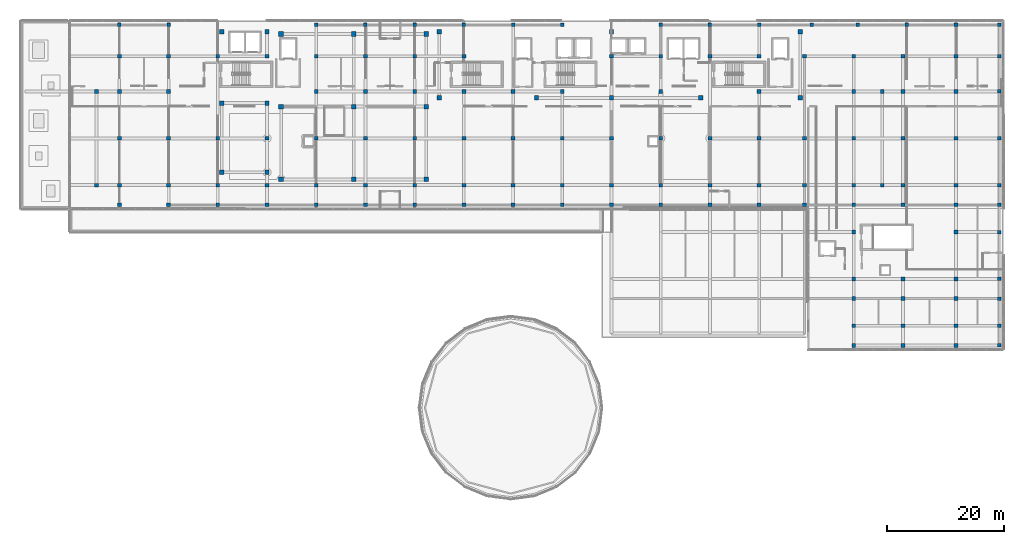
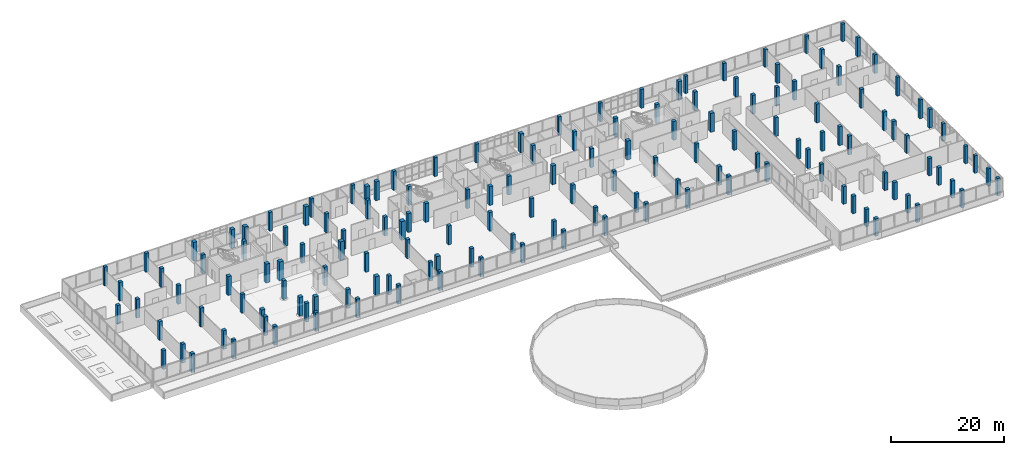
# One storey, part 1 of 78: 150 columns.
"""IFC4 building model written with IfcOpenShell, lengths in metres."""

from ifc_helpers import new_model, si_unit, direction, frame, origin, origin_2d, place, context, subcontext, project, spatial, rectangle, extrude, material, material_profile, profile_set, type_object, element, save


model = new_model("IFC4")

# Units and contexts
model_context = context("Model", 3, precision=1e-05, world=origin(), true_north=direction((0.0, 1.0)))
body_context = subcontext(model_context, "Body", "Model", "MODEL_VIEW")
ifc_project = project(units=[si_unit("LENGTHUNIT", "METRE"), si_unit("AREAUNIT", "SQUARE_METRE"), si_unit("VOLUMEUNIT", "CUBIC_METRE"), si_unit("PLANEANGLEUNIT", "RADIAN"), si_unit("MASSUNIT", "GRAM", prefix="KILO")], contexts=[model_context])

# Site, building, storey
site_placement = place(None, origin())
site = spatial("IfcSite", under=ifc_project, at=site_placement, CompositionType="ELEMENT")
building_placement = place(site_placement, origin())
building = spatial("IfcBuilding", under=site, at=building_placement, Name="Selatvlak General Hospital", CompositionType="ELEMENT")
storey_placement = place(building_placement, frame((0.0, 0.0, 23.25)))
storey = spatial("IfcBuildingStorey", under=building, at=storey_placement, Name="L05", CompositionType="ELEMENT", Elevation=23.25)

# Columns
ifc_material_1 = material(Name="Concrete C40/50", Category="concrete")
ifc_material_profile_1 = material_profile(ifc_material_1, rectangle(XDim=0.60009765625, YDim=0.60009765625, at=origin_2d()), Name="RC-COL 600x600")
ifc_profile_set_1 = profile_set([ifc_material_profile_1], Name="Concrete C40/50")
column_type_1 = type_object("IfcColumnType", Name="COL-RC60", PredefinedType="COLUMN", material=ifc_profile_set_1)
for number, where, z_axis, x_axis, name in (
    (1, (149.39990234375, 119.35009765625, 0.0), (0.0, 0.0, 1.0), (1.0, 0.0, 0.0), "Column 122 on L05"),
    (2, (157.199951171875, 119.35009765625, 0.0), (0.0, 0.0, 1.0), (1.0, 0.0, 0.0), "Column 123 on L05"),
    (3, (165.60009765625, 119.35009765625, 0.0), (0.0, 0.0, 1.0), (1.0, 0.0, 0.0), "Column 124 on L05"),
    (4, (174.0, 119.35009765625, 0.0), (0.0, 0.0, 1.0), (1.0, 0.0, 0.0), "Column 125 on L05"),
    (5, (181.35009765625, 119.35009765625, 0.0), (0.0, 0.0, 1.0), (1.0, 0.0, 0.0), "Column 126 on L05"),
):
    element("IfcColumn", number, at=place(storey_placement, frame(where, z_axis=z_axis, x_axis=x_axis)), inside=storey, type_object=column_type_1, Name=name, PredefinedType="COLUMN", context=body_context, shape_type="SweptSolid", body=[
        extrude(rectangle(XDim=0.60009765625, YDim=0.60009765625, at=origin_2d()), origin(), (0.0, 0.0, 1.0), 3.77490234375),
    ])
for number, where, z_axis, x_axis, name in (
    (6, (31.199951171875, 119.35009765625, 0.0), (0.0, 0.0, 1.0), (1.0, 0.0, 0.0), "Column 169 on L05"),
    (7, (39.60009765625, 119.35009765625, 0.0), (0.0, 0.0, 1.0), (1.0, 0.0, 0.0), "Column 175 on L05"),
    (8, (64.800048828125, 119.35009765625, 0.0), (0.0, 0.0, 1.0), (1.0, 0.0, 0.0), "Column 191 on L05"),
    (9, (73.199951171875, 119.35009765625, 0.0), (0.0, 0.0, 1.0), (1.0, 0.0, 0.0), "Column 197 on L05"),
    (10, (81.60009765625, 119.35009765625, 0.0), (0.0, 0.0, 1.0), (1.0, 0.0, 0.0), "Column 206 on L05"),
    (11, (90.0, 119.35009765625, 0.0), (0.0, 0.0, 1.0), (1.0, 0.0, 0.0), "Column 215 on L05"),
    (12, (98.39990234375, 119.35009765625, 0.0), (0.0, 0.0, 1.0), (1.0, 0.0, 0.0), "Column 222 on L05"),
    (13, (106.800048828125, 119.35009765625, 0.0), (0.0, 0.0, 1.0), (1.0, 0.0, 0.0), "Column 228 on L05"),
    (14, (123.60009765625, 119.35009765625, 0.0), (0.0, 0.0, 1.0), (1.0, 0.0, 0.0), "Column 245 on L05"),
    (15, (132.0, 119.35009765625, 0.0), (0.0, 0.0, 1.0), (1.0, 0.0, 0.0), "Column 254 on L05"),
    (16, (140.39990234375, 119.35009765625, 0.0), (0.0, 0.0, 1.0), (1.0, 0.0, 0.0), "Column 264 on L05"),
):
    element("IfcColumn", number, at=place(storey_placement, frame(where, z_axis=z_axis, x_axis=x_axis)), inside=storey, type_object=column_type_1, Name=name, PredefinedType="COLUMN", context=body_context, shape_type="SweptSolid", body=[
        extrude(rectangle(XDim=0.60009765625, YDim=0.60009765625, at=origin_2d()), origin(), (0.0, 0.0, 1.0), 4.050048828125),
    ])
for number, where, z_axis, x_axis, name in (
    (17, (181.35009765625, 64.64990234375, 0.0), (0.0, 0.0, 1.0), (1.0, 0.0, 0.0), "Column 304 on L05"),
    (18, (181.35009765625, 68.0, 0.0), (0.0, 0.0, 1.0), (1.0, 0.0, 0.0), "Column 305 on L05"),
    (19, (181.35009765625, 72.64990234375, 0.0), (0.0, 0.0, 1.0), (1.0, 0.0, 0.0), "Column 306 on L05"),
    (20, (181.35009765625, 76.0, 0.0), (0.0, 0.0, 1.0), (1.0, 0.0, 0.0), "Column 307 on L05"),
    (21, (181.35009765625, 84.0, 0.0), (0.0, 0.0, 1.0), (1.0, 0.0, 0.0), "Column 308 on L05"),
):
    element("IfcColumn", number, at=place(storey_placement, frame(where, z_axis=z_axis, x_axis=x_axis)), inside=storey, type_object=column_type_1, Name=name, PredefinedType="COLUMN", context=body_context, shape_type="SweptSolid", body=[
        extrude(rectangle(XDim=0.60009765625, YDim=0.60009765625, at=origin_2d()), origin(), (0.0, 0.0, 1.0), 3.761962890625),
    ])
for number, where, z_axis, x_axis, name in (
    (22, (181.35009765625, 88.64990234375, 0.0), (0.0, 0.0, 1.0), (1.0, 0.0, 0.0), "Column 309 on L05"),
    (23, (181.35009765625, 92.0, 0.0), (0.0, 0.0, 1.0), (1.0, 0.0, 0.0), "Column 310 on L05"),
    (24, (181.35009765625, 100.0, 0.0), (0.0, 0.0, 1.0), (1.0, 0.0, 0.0), "Column 311 on L05"),
    (25, (181.35009765625, 108.0, 0.0), (0.0, 0.0, 1.0), (1.0, 0.0, 0.0), "Column 312 on L05"),
    (26, (181.35009765625, 114.0, 0.0), (0.0, 0.0, 1.0), (1.0, 0.0, 0.0), "Column 313 on L05"),
):
    element("IfcColumn", number, at=place(storey_placement, frame(where, z_axis=z_axis, x_axis=x_axis)), inside=storey, type_object=column_type_1, Name=name, PredefinedType="COLUMN", context=body_context, shape_type="SweptSolid", body=[
        extrude(rectangle(XDim=0.60009765625, YDim=0.60009765625, at=origin_2d()), origin(), (0.0, 0.0, 1.0), 4.050048828125),
    ])
ifc_material_profile_2 = material_profile(ifc_material_1, rectangle(XDim=0.64990234375, YDim=0.64990234375, at=origin_2d()), Name="RC-COL 650x650")
ifc_profile_set_2 = profile_set([ifc_material_profile_2], Name="Concrete C40/50")
column_type_2 = type_object("IfcColumnType", Name="COL-RC65", PredefinedType="COLUMN", material=ifc_profile_set_2)
for number, where, z_axis, x_axis, name in (
    (27, (27.300048828125, 92.0, 0.0), (0.0, 0.0, 1.0), (1.0, 0.0, 0.0), "Column 111 on L05"),
    (28, (27.300048828125, 108.0, 0.0), (0.0, 0.0, 1.0), (1.0, 0.0, 0.0), "Column 112 on L05"),
    (29, (161.39990234375, 92.0, 0.0), (0.0, 0.0, 1.0), (1.0, 0.0, 0.0), "Column 113 on L05"),
    (30, (161.39990234375, 108.0, 0.0), (0.0, 0.0, 1.0), (1.0, 0.0, 0.0), "Column 114 on L05"),
    (31, (31.199951171875, 88.64990234375, 0.0), (0.0, 0.0, 1.0), (1.0, 0.0, 0.0), "Column 164 on L05"),
    (32, (31.199951171875, 92.0, 0.0), (0.0, 0.0, 1.0), (1.0, 0.0, 0.0), "Column 165 on L05"),
    (33, (31.199951171875, 100.0, 0.0), (0.0, 0.0, 1.0), (1.0, 0.0, 0.0), "Column 166 on L05"),
    (34, (31.199951171875, 108.0, 0.0), (0.0, 0.0, 1.0), (1.0, 0.0, 0.0), "Column 167 on L05"),
    (35, (31.199951171875, 114.0, 0.0), (0.0, 0.0, 1.0), (1.0, 0.0, 0.0), "Column 168 on L05"),
    (36, (39.60009765625, 88.64990234375, 0.0), (0.0, 0.0, 1.0), (1.0, 0.0, 0.0), "Column 170 on L05"),
    (37, (39.60009765625, 92.0, 0.0), (0.0, 0.0, 1.0), (1.0, 0.0, 0.0), "Column 171 on L05"),
    (38, (39.60009765625, 100.0, 0.0), (0.0, 0.0, 1.0), (1.0, 0.0, 0.0), "Column 172 on L05"),
    (39, (39.60009765625, 108.0, 0.0), (0.0, 0.0, 1.0), (1.0, 0.0, 0.0), "Column 173 on L05"),
    (40, (39.60009765625, 114.0, 0.0), (0.0, 0.0, 1.0), (1.0, 0.0, 0.0), "Column 174 on L05"),
    (41, (48.0, 88.64990234375, 0.0), (0.0, 0.0, 1.0), (1.0, 0.0, 0.0), "Column 177 on L05"),
    (42, (48.0, 92.0, 0.0), (0.0, 0.0, 1.0), (1.0, 0.0, 0.0), "Column 178 on L05"),
    (43, (48.0, 100.0, 0.0), (0.0, 0.0, 1.0), (1.0, 0.0, 0.0), "Column 179 on L05"),
    (44, (48.0, 114.0, 0.0), (0.0, 0.0, 1.0), (1.0, 0.0, 0.0), "Column 180 on L05"),
    (45, (56.39990234375, 88.64990234375, 0.0), (0.0, 0.0, 1.0), (1.0, 0.0, 0.0), "Column 181 on L05"),
    (46, (56.39990234375, 92.0, 0.0), (0.0, 0.0, 1.0), (1.0, 0.0, 0.0), "Column 182 on L05"),
    (47, (56.39990234375, 100.0, 0.0), (0.0, 0.0, 1.0), (1.0, 0.0, 0.0), "Column 183 on L05"),
    (48, (56.39990234375, 114.0, 0.0), (0.0, 0.0, 1.0), (1.0, 0.0, 0.0), "Column 184 on L05"),
    (49, (64.800048828125, 88.64990234375, 0.0), (0.0, 0.0, 1.0), (1.0, 0.0, 0.0), "Column 186 on L05"),
    (50, (64.800048828125, 92.0, 0.0), (0.0, 0.0, 1.0), (1.0, 0.0, 0.0), "Column 187 on L05"),
    (51, (64.800048828125, 100.0, 0.0), (0.0, 0.0, 1.0), (1.0, 0.0, 0.0), "Column 188 on L05"),
    (52, (64.800048828125, 108.0, 0.0), (0.0, 0.0, 1.0), (1.0, 0.0, 0.0), "Column 189 on L05"),
    (53, (64.800048828125, 114.0, 0.0), (0.0, 0.0, 1.0), (1.0, 0.0, 0.0), "Column 190 on L05"),
    (54, (73.199951171875, 88.64990234375, 0.0), (0.0, 0.0, 1.0), (1.0, 0.0, 0.0), "Column 192 on L05"),
    (55, (73.199951171875, 92.0, 0.0), (0.0, 0.0, 1.0), (1.0, 0.0, 0.0), "Column 193 on L05"),
    (56, (73.199951171875, 100.0, 0.0), (0.0, 0.0, 1.0), (1.0, 0.0, 0.0), "Column 194 on L05"),
    (57, (73.199951171875, 108.0, 0.0), (0.0, 0.0, 1.0), (1.0, 0.0, 0.0), "Column 195 on L05"),
    (58, (73.199951171875, 114.0, 0.0), (0.0, 0.0, 1.0), (1.0, 0.0, 0.0), "Column 196 on L05"),
    (59, (81.60009765625, 88.64990234375, 0.0), (0.0, 0.0, 1.0), (1.0, 0.0, 0.0), "Column 201 on L05"),
    (60, (81.60009765625, 92.0, 0.0), (0.0, 0.0, 1.0), (1.0, 0.0, 0.0), "Column 202 on L05"),
    (61, (81.60009765625, 100.0, 0.0), (0.0, 0.0, 1.0), (1.0, 0.0, 0.0), "Column 203 on L05"),
    (62, (81.60009765625, 108.0, 0.0), (0.0, 0.0, 1.0), (1.0, 0.0, 0.0), "Column 204 on L05"),
    (63, (81.60009765625, 114.0, 0.0), (0.0, 0.0, 1.0), (1.0, 0.0, 0.0), "Column 205 on L05"),
    (64, (90.0, 88.64990234375, 0.0), (0.0, 0.0, 1.0), (1.0, 0.0, 0.0), "Column 210 on L05"),
    (65, (90.0, 92.0, 0.0), (0.0, 0.0, 1.0), (1.0, 0.0, 0.0), "Column 211 on L05"),
    (66, (90.0, 100.0, 0.0), (0.0, 0.0, 1.0), (1.0, 0.0, 0.0), "Column 212 on L05"),
    (67, (90.0, 108.0, 0.0), (0.0, 0.0, 1.0), (1.0, 0.0, 0.0), "Column 213 on L05"),
    (68, (90.0, 114.0, 0.0), (0.0, 0.0, 1.0), (1.0, 0.0, 0.0), "Column 214 on L05"),
    (69, (98.39990234375, 88.64990234375, 0.0), (0.0, 0.0, 1.0), (1.0, 0.0, 0.0), "Column 218 on L05"),
    (70, (98.39990234375, 92.0, 0.0), (0.0, 0.0, 1.0), (1.0, 0.0, 0.0), "Column 219 on L05"),
    (71, (98.39990234375, 100.0, 0.0), (0.0, 0.0, 1.0), (1.0, 0.0, 0.0), "Column 220 on L05"),
    (72, (98.39990234375, 108.0, 0.0), (0.0, 0.0, 1.0), (1.0, 0.0, 0.0), "Column 221 on L05"),
    (73, (106.800048828125, 88.64990234375, 0.0), (0.0, 0.0, 1.0), (1.0, 0.0, 0.0), "Column 224 on L05"),
    (74, (106.800048828125, 92.0, 0.0), (0.0, 0.0, 1.0), (1.0, 0.0, 0.0), "Column 225 on L05"),
    (75, (106.800048828125, 100.0, 0.0), (0.0, 0.0, 1.0), (1.0, 0.0, 0.0), "Column 226 on L05"),
    (76, (106.800048828125, 108.0, 0.0), (0.0, 0.0, 1.0), (1.0, 0.0, 0.0), "Column 227 on L05"),
    (77, (115.199951171875, 88.64990234375, 0.0), (0.0, 0.0, 1.0), (1.0, 0.0, 0.0), "Column 232 on L05"),
    (78, (115.199951171875, 92.0, 0.0), (0.0, 0.0, 1.0), (1.0, 0.0, 0.0), "Column 233 on L05"),
    (79, (115.199951171875, 100.0, 0.0), (0.0, 0.0, 1.0), (1.0, 0.0, 0.0), "Column 234 on L05"),
    (80, (115.199951171875, 114.0, 0.0), (0.0, 0.0, 1.0), (1.0, 0.0, 0.0), "Column 235 on L05"),
    (81, (123.60009765625, 88.64990234375, 0.0), (0.0, 0.0, 1.0), (1.0, 0.0, 0.0), "Column 240 on L05"),
    (82, (123.60009765625, 92.0, 0.0), (0.0, 0.0, 1.0), (1.0, 0.0, 0.0), "Column 241 on L05"),
):
    element("IfcColumn", number, at=place(storey_placement, frame(where, z_axis=z_axis, x_axis=x_axis)), inside=storey, type_object=column_type_2, Name=name, PredefinedType="COLUMN", context=body_context, shape_type="SweptSolid", body=[
        extrude(rectangle(XDim=0.64990234375, YDim=0.64990234375, at=origin_2d()), origin(), (0.0, 0.0, 1.0), 4.050048828125),
    ])
column_placement = place(storey_placement, frame((123.60009765625, 100.0, -0.280029296875), z_axis=(0.0, 0.0, 1.0), x_axis=(1.0, 0.0, 0.0)))
element("IfcColumn", 83, at=column_placement, inside=storey, type_object=column_type_2, Name="Column 242 on L05", PredefinedType="COLUMN", context=body_context, shape_type="SweptSolid", body=[
    extrude(rectangle(XDim=0.64990234375, YDim=0.64990234375, at=origin_2d()), origin(), (0.0, 0.0, 1.0), 4.330078125),
])
for number, where, z_axis, x_axis, name in (
    (84, (123.60009765625, 108.0, 0.0), (0.0, 0.0, 1.0), (1.0, 0.0, 0.0), "Column 243 on L05"),
    (85, (123.60009765625, 114.0, 0.0), (0.0, 0.0, 1.0), (1.0, 0.0, 0.0), "Column 244 on L05"),
    (86, (132.0, 88.64990234375, 0.0), (0.0, 0.0, 1.0), (1.0, 0.0, 0.0), "Column 250 on L05"),
    (87, (132.0, 92.0, 0.0), (0.0, 0.0, 1.0), (1.0, 0.0, 0.0), "Column 251 on L05"),
    (88, (132.0, 100.0, 0.0), (0.0, 0.0, 1.0), (1.0, 0.0, 0.0), "Column 252 on L05"),
    (89, (132.0, 114.0, 0.0), (0.0, 0.0, 1.0), (1.0, 0.0, 0.0), "Column 253 on L05"),
    (90, (140.39990234375, 88.64990234375, 0.0), (0.0, 0.0, 1.0), (1.0, 0.0, 0.0), "Column 259 on L05"),
    (91, (140.39990234375, 92.0, 0.0), (0.0, 0.0, 1.0), (1.0, 0.0, 0.0), "Column 260 on L05"),
    (92, (140.39990234375, 100.0, 0.0), (0.0, 0.0, 1.0), (1.0, 0.0, 0.0), "Column 261 on L05"),
    (93, (140.39990234375, 108.0, 0.0), (0.0, 0.0, 1.0), (1.0, 0.0, 0.0), "Column 262 on L05"),
    (94, (140.39990234375, 114.0, 0.0), (0.0, 0.0, 1.0), (1.0, 0.0, 0.0), "Column 263 on L05"),
    (95, (148.14990234375, 88.64990234375, 0.0), (0.0, 0.0, 1.0), (1.0, 0.0, 0.0), "Column 270 on L05"),
    (96, (148.14990234375, 92.0, 0.0), (0.0, 0.0, 1.0), (1.0, 0.0, 0.0), "Column 271 on L05"),
    (97, (148.14990234375, 100.0, 0.0), (0.0, 0.0, 1.0), (1.0, 0.0, 0.0), "Column 272 on L05"),
    (98, (148.14990234375, 114.0, 0.0), (0.0, 0.0, 1.0), (1.0, 0.0, 0.0), "Column 273 on L05"),
):
    element("IfcColumn", number, at=place(storey_placement, frame(where, z_axis=z_axis, x_axis=x_axis)), inside=storey, type_object=column_type_2, Name=name, PredefinedType="COLUMN", context=body_context, shape_type="SweptSolid", body=[
        extrude(rectangle(XDim=0.64990234375, YDim=0.64990234375, at=origin_2d()), origin(), (0.0, 0.0, 1.0), 4.050048828125),
    ])
for number, where, z_axis, x_axis, name in (
    (99, (156.550048828125, 64.64990234375, 0.0), (0.0, 0.0, 1.0), (1.0, 0.0, 0.0), "Column 274 on L05"),
    (100, (156.550048828125, 68.0, 0.0), (0.0, 0.0, 1.0), (1.0, 0.0, 0.0), "Column 275 on L05"),
    (101, (156.550048828125, 72.64990234375, 0.0), (0.0, 0.0, 1.0), (1.0, 0.0, 0.0), "Column 276 on L05"),
    (102, (156.550048828125, 76.0, 0.0), (0.0, 0.0, 1.0), (1.0, 0.0, 0.0), "Column 277 on L05"),
    (103, (156.550048828125, 84.0, 0.0), (0.0, 0.0, 1.0), (1.0, 0.0, 0.0), "Column 278 on L05"),
):
    element("IfcColumn", number, at=place(storey_placement, frame(where, z_axis=z_axis, x_axis=x_axis)), inside=storey, type_object=column_type_2, Name=name, PredefinedType="COLUMN", context=body_context, shape_type="SweptSolid", body=[
        extrude(rectangle(XDim=0.64990234375, YDim=0.64990234375, at=origin_2d()), origin(), (0.0, 0.0, 1.0), 3.761962890625),
    ])
for number, where, z_axis, x_axis, name in (
    (104, (156.550048828125, 88.64990234375, 0.0), (0.0, 0.0, 1.0), (1.0, 0.0, 0.0), "Column 279 on L05"),
    (105, (156.550048828125, 92.0, 0.0), (0.0, 0.0, 1.0), (1.0, 0.0, 0.0), "Column 280 on L05"),
    (106, (156.550048828125, 100.0, 0.0), (0.0, 0.0, 1.0), (1.0, 0.0, 0.0), "Column 281 on L05"),
    (107, (156.550048828125, 108.0, 0.0), (0.0, 0.0, 1.0), (1.0, 0.0, 0.0), "Column 282 on L05"),
    (108, (156.550048828125, 114.0, 0.0), (0.0, 0.0, 1.0), (1.0, 0.0, 0.0), "Column 283 on L05"),
):
    element("IfcColumn", number, at=place(storey_placement, frame(where, z_axis=z_axis, x_axis=x_axis)), inside=storey, type_object=column_type_2, Name=name, PredefinedType="COLUMN", context=body_context, shape_type="SweptSolid", body=[
        extrude(rectangle(XDim=0.64990234375, YDim=0.64990234375, at=origin_2d()), origin(), (0.0, 0.0, 1.0), 4.050048828125),
    ])
for number, where, z_axis, x_axis, name in (
    (109, (164.949951171875, 64.64990234375, 0.0), (0.0, 0.0, 1.0), (1.0, 0.0, 0.0), "Column 284 on L05"),
    (110, (164.949951171875, 68.0, 0.0), (0.0, 0.0, 1.0), (1.0, 0.0, 0.0), "Column 285 on L05"),
    (111, (164.949951171875, 72.64990234375, 0.0), (0.0, 0.0, 1.0), (1.0, 0.0, 0.0), "Column 286 on L05"),
    (112, (164.949951171875, 76.0, 0.0), (0.0, 0.0, 1.0), (1.0, 0.0, 0.0), "Column 287 on L05"),
):
    element("IfcColumn", number, at=place(storey_placement, frame(where, z_axis=z_axis, x_axis=x_axis)), inside=storey, type_object=column_type_2, Name=name, PredefinedType="COLUMN", context=body_context, shape_type="SweptSolid", body=[
        extrude(rectangle(XDim=0.64990234375, YDim=0.64990234375, at=origin_2d()), origin(), (0.0, 0.0, 1.0), 3.761962890625),
    ])
for number, where, z_axis, x_axis, name in (
    (113, (164.949951171875, 88.64990234375, 0.0), (0.0, 0.0, 1.0), (1.0, 0.0, 0.0), "Column 288 on L05"),
    (114, (164.949951171875, 92.0, 0.0), (0.0, 0.0, 1.0), (1.0, 0.0, 0.0), "Column 289 on L05"),
    (115, (164.949951171875, 100.0, 0.0), (0.0, 0.0, 1.0), (1.0, 0.0, 0.0), "Column 290 on L05"),
    (116, (164.949951171875, 108.0, 0.0), (0.0, 0.0, 1.0), (1.0, 0.0, 0.0), "Column 291 on L05"),
    (117, (164.949951171875, 114.0, 0.0), (0.0, 0.0, 1.0), (1.0, 0.0, 0.0), "Column 292 on L05"),
):
    element("IfcColumn", number, at=place(storey_placement, frame(where, z_axis=z_axis, x_axis=x_axis)), inside=storey, type_object=column_type_2, Name=name, PredefinedType="COLUMN", context=body_context, shape_type="SweptSolid", body=[
        extrude(rectangle(XDim=0.64990234375, YDim=0.64990234375, at=origin_2d()), origin(), (0.0, 0.0, 1.0), 4.050048828125),
    ])
for number, where, z_axis, x_axis, name in (
    (118, (174.0, 64.64990234375, 0.0), (0.0, 0.0, 1.0), (1.0, 0.0, 0.0), "Column 294 on L05"),
    (119, (174.0, 68.0, 0.0), (0.0, 0.0, 1.0), (1.0, 0.0, 0.0), "Column 295 on L05"),
    (120, (174.0, 72.64990234375, 0.0), (0.0, 0.0, 1.0), (1.0, 0.0, 0.0), "Column 296 on L05"),
    (121, (174.0, 76.0, 0.0), (0.0, 0.0, 1.0), (1.0, 0.0, 0.0), "Column 297 on L05"),
    (122, (174.0, 84.0, 0.0), (0.0, 0.0, 1.0), (1.0, 0.0, 0.0), "Column 298 on L05"),
):
    element("IfcColumn", number, at=place(storey_placement, frame(where, z_axis=z_axis, x_axis=x_axis)), inside=storey, type_object=column_type_2, Name=name, PredefinedType="COLUMN", context=body_context, shape_type="SweptSolid", body=[
        extrude(rectangle(XDim=0.64990234375, YDim=0.64990234375, at=origin_2d()), origin(), (0.0, 0.0, 1.0), 3.761962890625),
    ])
for number, where, z_axis, x_axis, name in (
    (123, (174.0, 88.64990234375, 0.0), (0.0, 0.0, 1.0), (1.0, 0.0, 0.0), "Column 299 on L05"),
    (124, (174.0, 92.0, 0.0), (0.0, 0.0, 1.0), (1.0, 0.0, 0.0), "Column 300 on L05"),
    (125, (174.0, 100.0, 0.0), (0.0, 0.0, 1.0), (1.0, 0.0, 0.0), "Column 301 on L05"),
    (126, (174.0, 108.0, 0.0), (0.0, 0.0, 1.0), (1.0, 0.0, 0.0), "Column 302 on L05"),
    (127, (174.0, 114.0, 0.0), (0.0, 0.0, 1.0), (1.0, 0.0, 0.0), "Column 303 on L05"),
):
    element("IfcColumn", number, at=place(storey_placement, frame(where, z_axis=z_axis, x_axis=x_axis)), inside=storey, type_object=column_type_2, Name=name, PredefinedType="COLUMN", context=body_context, shape_type="SweptSolid", body=[
        extrude(rectangle(XDim=0.64990234375, YDim=0.64990234375, at=origin_2d()), origin(), (0.0, 0.0, 1.0), 4.050048828125),
    ])
ifc_material_2 = material(Name="Concrete C50/60", Category="concrete")
ifc_material_profile_3 = material_profile(ifc_material_2, rectangle(XDim=0.75, YDim=0.75, at=origin_2d()), Name="RC-COL 750x750")
ifc_profile_set_3 = profile_set([ifc_material_profile_3], Name="Concrete C50/60")
column_type_3 = type_object("IfcColumnType", Name="COL-RC75", PredefinedType="COLUMN", material=ifc_profile_set_3)
for number, where, z_axis, x_axis, name in (
    (128, (48.64990234375, 94.199951171875, 0.0), (0.0, 0.0, 1.0), (1.0, 0.0, 0.0), "Column 046 on L05"),
    (129, (56.39990234375, 94.199951171875, 0.0), (0.0, 0.0, 1.0), (1.0, 0.0, 0.0), "Column 047 on L05"),
    (130, (48.64990234375, 106.0, 0.0), (0.0, 0.0, 1.0), (1.0, 0.0, 0.0), "Column 048 on L05"),
    (131, (56.39990234375, 106.0, 0.0), (0.0, 0.0, 1.0), (1.0, 0.0, 0.0), "Column 049 on L05"),
    (132, (48.64990234375, 118.199951171875, 0.0), (0.0, 0.0, 1.0), (1.0, 0.0, 0.0), "Column 050 on L05"),
    (133, (56.39990234375, 118.199951171875, 0.0), (0.0, 0.0, 1.0), (1.0, 0.0, 0.0), "Column 051 on L05"),
    (134, (85.800048828125, 106.89990234375, 0.0), (0.0, 0.0, 1.0), (1.0, 0.0, 0.0), "Column 052 on L05"),
    (135, (102.39990234375, 106.89990234375, 0.0), (0.0, 0.0, 1.0), (1.0, 0.0, 0.0), "Column 053 on L05"),
    (136, (115.199951171875, 106.89990234375, 0.0), (0.0, 0.0, 1.0), (1.0, 0.0, 0.0), "Column 054 on L05"),
    (137, (130.39990234375, 106.89990234375, 0.0), (0.0, 0.0, 1.0), (1.0, 0.0, 0.0), "Column 055 on L05"),
    (138, (147.39990234375, 106.89990234375, 0.0), (0.0, 0.0, 1.0), (1.0, 0.0, 0.0), "Column 056 on L05"),
    (139, (85.800048828125, 118.199951171875, 0.0), (0.0, 0.0, 1.0), (1.0, 0.0, 0.0), "Column 057 on L05"),
    (140, (115.199951171875, 118.199951171875, 0.0), (0.0, 0.0, 1.0), (1.0, 0.0, 0.0), "Column 058 on L05"),
    (141, (147.39990234375, 118.199951171875, 0.0), (0.0, 0.0, 1.0), (1.0, 0.0, 0.0), "Column 059 on L05"),
):
    element("IfcColumn", number, at=place(storey_placement, frame(where, z_axis=z_axis, x_axis=x_axis)), inside=storey, type_object=column_type_3, Name=name, PredefinedType="COLUMN", context=body_context, shape_type="SweptSolid", body=[
        extrude(rectangle(XDim=0.75, YDim=0.75, at=origin_2d()), origin(), (0.0, 0.0, 1.0), 4.050048828125),
    ])
ifc_material_profile_4 = material_profile(ifc_material_2, rectangle(XDim=0.800048828125, YDim=0.800048828125, at=origin_2d()), Name="RC-COL 800x800")
ifc_profile_set_4 = profile_set([ifc_material_profile_4], Name="Concrete C50/60")
column_type_4 = type_object("IfcColumnType", Name="COL-RC80", PredefinedType="COLUMN", material=ifc_profile_set_4)
for number, where, z_axis, x_axis, name in (
    (142, (58.800048828125, 93.0, 0.0), (0.0, 0.0, 1.0), (1.0, 0.0, 0.0), "Column 037 on L05"),
    (143, (58.800048828125, 105.39990234375, 0.0), (0.0, 0.0, 1.0), (1.0, 0.0, 0.0), "Column 038 on L05"),
    (144, (58.800048828125, 117.800048828125, 0.0), (0.0, 0.0, 1.0), (1.0, 0.0, 0.0), "Column 039 on L05"),
    (145, (71.199951171875, 93.0, 0.0), (0.0, 0.0, 1.0), (1.0, 0.0, 0.0), "Column 040 on L05"),
    (146, (71.199951171875, 105.39990234375, 0.0), (0.0, 0.0, 1.0), (1.0, 0.0, 0.0), "Column 041 on L05"),
    (147, (71.199951171875, 117.800048828125, 0.0), (0.0, 0.0, 1.0), (1.0, 0.0, 0.0), "Column 042 on L05"),
    (148, (83.60009765625, 93.0, 0.0), (0.0, 0.0, 1.0), (1.0, 0.0, 0.0), "Column 043 on L05"),
    (149, (83.60009765625, 105.39990234375, 0.0), (0.0, 0.0, 1.0), (1.0, 0.0, 0.0), "Column 044 on L05"),
    (150, (83.60009765625, 117.800048828125, 0.0), (0.0, 0.0, 1.0), (1.0, 0.0, 0.0), "Column 045 on L05"),
):
    element("IfcColumn", number, at=place(storey_placement, frame(where, z_axis=z_axis, x_axis=x_axis)), inside=storey, type_object=column_type_4, Name=name, PredefinedType="COLUMN", context=body_context, shape_type="SweptSolid", body=[
        extrude(rectangle(XDim=0.800048828125, YDim=0.800048828125, at=origin_2d()), origin(), (0.0, 0.0, 1.0), 4.050048828125),
    ])

save(model, "model.ifc")
